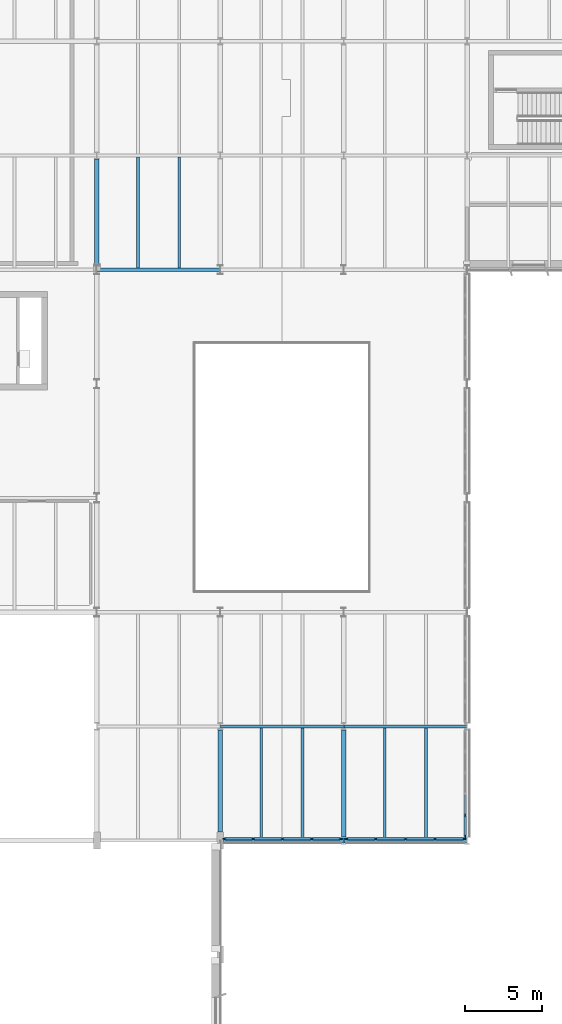
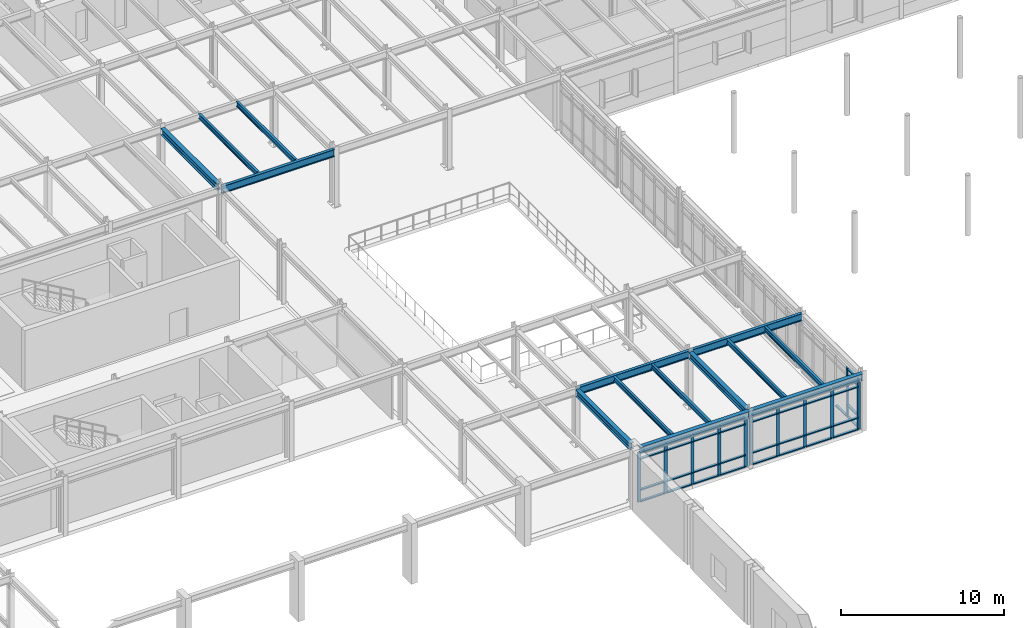
# One storey, part 20 of 75: 49 members, 14 beams, 3 elements without a shape of their own.
"""IFC4 building model written with IfcOpenShell, lengths in metres."""

from ifc_helpers import new_model, si_unit, direction, frame, origin, origin_2d, place, context, subcontext, project, spatial, rectangle, i_section, extrude, material, layer, layer_set, material_profile, profile_set, type_object, element, aggregate, save


model = new_model("IFC4")

# Units and contexts
model_context = context("Model", 3, precision=1e-05, world=origin(), true_north=direction((0.0, 1.0)))
body_context = subcontext(model_context, "Body", "Model", "MODEL_VIEW")
ifc_project = project(units=[si_unit("LENGTHUNIT", "METRE"), si_unit("AREAUNIT", "SQUARE_METRE"), si_unit("VOLUMEUNIT", "CUBIC_METRE"), si_unit("PLANEANGLEUNIT", "RADIAN"), si_unit("MASSUNIT", "GRAM", prefix="KILO")], contexts=[model_context])

# Site, building, storey
site_placement = place(None, origin())
site = spatial("IfcSite", under=ifc_project, at=site_placement, CompositionType="ELEMENT")
building_placement = place(site_placement, origin())
building = spatial("IfcBuilding", under=site, at=building_placement, Name="Valkorina Park Police Headquarters", CompositionType="ELEMENT")
storey_placement = place(building_placement, frame((0.0, 0.0, 5.39990234375)))
storey = spatial("IfcBuildingStorey", under=building, at=storey_placement, Name="L02", CompositionType="ELEMENT", Elevation=5.39990234375)

# Beams
ifc_material_1 = material(Name="Steel S355", Category="steel")
ifc_material_profile_1 = material_profile(ifc_material_1, i_section(OverallWidth=0.300048828125, OverallDepth=0.489990234375, WebThickness=0.011962890625, FlangeThickness=0.02294921875, FilletRadius=0.027099609375, at=origin_2d()), Name="HEA 500")
ifc_profile_set_1 = profile_set([ifc_material_profile_1], Name="Steel S355")
beam_type_1 = type_object("IfcBeamType", Name="BM-S355-HEA500-BM", PredefinedType="BEAM", material=ifc_profile_set_1)
beam_1_placement = place(storey_placement, frame((56.800048828125, 59.5, 3.925048828125), z_axis=(0.0, 1.0, 0.0), x_axis=(-1.0, 0.0, 0.0)))
element("IfcBeam", 1, at=beam_1_placement, inside=storey, type_object=beam_type_1, Name="L02 Framing Beam 1598", PredefinedType="BEAM", context=body_context, shape_type="SweptSolid", body=[
    extrude(i_section(OverallWidth=0.300048828125, OverallDepth=0.489990234375, WebThickness=0.011962890625, FlangeThickness=0.02294921875, FilletRadius=0.027099609375, at=origin_2d()), origin(), (0.0, 0.0, 1.0), 6.875),
])
beam_2_placement = place(storey_placement, frame((64.800048828125, 22.75, 3.9951171875), z_axis=(0.0, 1.0, 0.0), x_axis=(-1.0, 0.0, 0.0)))
element("IfcBeam", 2, at=beam_2_placement, inside=storey, type_object=beam_type_1, Name="L02 Framing Beam 1611", PredefinedType="BEAM", context=body_context, shape_type="SweptSolid", body=[
    extrude(i_section(OverallWidth=0.300048828125, OverallDepth=0.489990234375, WebThickness=0.011962890625, FlangeThickness=0.02294921875, FilletRadius=0.027099609375, at=origin_2d()), origin(), (0.0, 0.0, 1.0), 6.625),
])
beam_3_placement = place(storey_placement, frame((72.800048828125, 22.425048828125, 3.9951171875), z_axis=(0.0, 1.0, 0.0), x_axis=(-1.0, 0.0, 0.0)))
element("IfcBeam", 3, at=beam_3_placement, inside=storey, type_object=beam_type_1, Name="L02 Framing Beam 1626", PredefinedType="BEAM", context=body_context, shape_type="SweptSolid", body=[
    extrude(i_section(OverallWidth=0.300048828125, OverallDepth=0.489990234375, WebThickness=0.011962890625, FlangeThickness=0.02294921875, FilletRadius=0.027099609375, at=origin_2d()), origin(), (0.0, 0.0, 1.0), 6.949951171875),
])
ifc_material_profile_2 = material_profile(ifc_material_1, i_section(OverallWidth=0.300048828125, OverallDepth=0.489990234375, WebThickness=0.011962890625, FlangeThickness=0.02294921875, FilletRadius=0.027099609375, at=origin_2d()), Name="HEA 500")
ifc_profile_set_2 = profile_set([ifc_material_profile_2], Name="Steel S355")
beam_type_2 = type_object("IfcBeamType", Name="BM-S355-HEA500-SPN", PredefinedType="SPANDREL", material=ifc_profile_set_2)
beam_4_placement = place(storey_placement, frame((65.02490234375, 22.199951171875, 3.9951171875), z_axis=(1.0, 0.0, 0.0), x_axis=(0.0, 1.0, 0.0)))
element("IfcBeam", 4, at=beam_4_placement, inside=storey, type_object=beam_type_2, Name="L02 Framing Beam 1300", PredefinedType="SPANDREL", context=body_context, shape_type="SweptSolid", body=[
    extrude(i_section(OverallWidth=0.300048828125, OverallDepth=0.489990234375, WebThickness=0.011962890625, FlangeThickness=0.02294921875, FilletRadius=0.027099609375, at=origin_2d()), origin(), (0.0, 0.0, 1.0), 7.76806640625),
])
beam_5_placement = place(storey_placement, frame((72.806884765625, 22.199951171875, 3.9951171875), z_axis=(1.0, 0.0, 0.0), x_axis=(0.0, 1.0, 0.0)))
element("IfcBeam", 5, at=beam_5_placement, inside=storey, type_object=beam_type_2, Name="L02 Framing Beam 1301", PredefinedType="SPANDREL", context=body_context, shape_type="SweptSolid", body=[
    extrude(i_section(OverallWidth=0.300048828125, OverallDepth=0.489990234375, WebThickness=0.011962890625, FlangeThickness=0.02294921875, FilletRadius=0.027099609375, at=origin_2d()), origin(), (0.0, 0.0, 1.0), 7.986083984375),
])
ifc_material_profile_3 = material_profile(ifc_material_1, i_section(OverallWidth=0.169921875, OverallDepth=0.360107421875, WebThickness=0.008056640625, FlangeThickness=0.0126953125, FilletRadius=0.01806640625, at=origin_2d()), Name="IPE 360")
ifc_profile_set_3 = profile_set([ifc_material_profile_3], Name="Steel S355")
beam_type_3 = type_object("IfcBeamType", Name="BM-S355-IPE360-JST", PredefinedType="JOIST", material=ifc_profile_set_3)
for number, where, z_axis, x_axis, name in (
    (6, (59.466796875, 59.304931640625, 4.06005859375), (0.0, 1.0, 0.0), (-1.0, 0.0, 0.0), "L02 Framing Beam 1599"),
    (7, (62.13330078125, 59.304931640625, 4.06005859375), (0.0, 1.0, 0.0), (-1.0, 0.0, 0.0), "L02 Framing Beam 1600"),
):
    element("IfcBeam", number, at=place(storey_placement, frame(where, z_axis=z_axis, x_axis=x_axis)), inside=storey, type_object=beam_type_3, Name=name, PredefinedType="JOIST", context=body_context, shape_type="SweptSolid", body=[
        extrude(i_section(OverallWidth=0.169921875, OverallDepth=0.360107421875, WebThickness=0.008056640625, FlangeThickness=0.0126953125, FilletRadius=0.01806640625, at=origin_2d()), origin(), (0.0, 0.0, 1.0), 7.190185546875),
    ])
for number, where, z_axis, x_axis, name in (
    (8, (67.466796875, 22.35009765625, 4.06005859375), (0.0, 1.0, 0.0), (-1.0, 0.0, 0.0), "L02 Framing Beam 1612"),
    (9, (70.13330078125, 22.35009765625, 4.06005859375), (0.0, 1.0, 0.0), (-1.0, 0.0, 0.0), "L02 Framing Beam 1613"),
    (10, (75.466796875, 22.35009765625, 4.06005859375), (0.0, 1.0, 0.0), (-1.0, 0.0, 0.0), "L02 Framing Beam 1627"),
    (11, (78.13330078125, 22.35009765625, 4.06005859375), (0.0, 1.0, 0.0), (-1.0, 0.0, 0.0), "L02 Framing Beam 1628"),
):
    element("IfcBeam", number, at=place(storey_placement, frame(where, z_axis=z_axis, x_axis=x_axis)), inside=storey, type_object=beam_type_3, Name=name, PredefinedType="JOIST", context=body_context, shape_type="SweptSolid", body=[
        extrude(i_section(OverallWidth=0.169921875, OverallDepth=0.360107421875, WebThickness=0.008056640625, FlangeThickness=0.0126953125, FilletRadius=0.01806640625, at=origin_2d()), origin(), (0.0, 0.0, 1.0), 7.14501953125),
    ])
ifc_material_profile_4 = material_profile(ifc_material_1, i_section(OverallWidth=0.2099609375, OverallDepth=0.550048828125, WebThickness=0.010986328125, FlangeThickness=0.01708984375, FilletRadius=0.02392578125, at=origin_2d()), Name="IPE 550")
ifc_profile_set_4 = profile_set([ifc_material_profile_4], Name="Steel S355")
beam_type_4 = type_object("IfcBeamType", Name="BM-S355-IPE550-BM", PredefinedType="BEAM", material=ifc_profile_set_4)
for number, where, z_axis, x_axis, name in (
    (12, (64.806884765625, 29.60009765625, 3.965087890625), (1.0, 0.0, 0.0), (0.0, 1.0, 0.0), "L02 Framing Beam 1308"),
    (13, (72.806884765625, 29.60009765625, 3.965087890625), (1.0, 0.0, 0.0), (0.0, 1.0, 0.0), "L02 Framing Beam 1309"),
):
    element("IfcBeam", number, at=place(storey_placement, frame(where, z_axis=z_axis, x_axis=x_axis)), inside=storey, type_object=beam_type_4, Name=name, PredefinedType="BEAM", context=body_context, shape_type="SweptSolid", body=[
        extrude(i_section(OverallWidth=0.2099609375, OverallDepth=0.550048828125, WebThickness=0.010986328125, FlangeThickness=0.01708984375, FilletRadius=0.02392578125, at=origin_2d()), origin(), (0.0, 0.0, 1.0), 7.986083984375),
    ])
beam_6_placement = place(storey_placement, frame((56.8076171875, 59.199951171875, 3.89501953125), z_axis=(1.0, 0.0, 0.0), x_axis=(0.0, 1.0, 0.0)))
element("IfcBeam", 14, at=beam_6_placement, inside=storey, type_object=beam_type_4, Name="L02 Framing Beam 1346", PredefinedType="BEAM", context=body_context, shape_type="SweptSolid", body=[
    extrude(i_section(OverallWidth=0.2099609375, OverallDepth=0.550048828125, WebThickness=0.010986328125, FlangeThickness=0.01708984375, FilletRadius=0.02392578125, at=origin_2d()), origin(), (0.0, 0.0, 1.0), 7.984619140625),
])

# Curtain wall, members
ifc_material_2 = material(Name="Thermally broken aluminium AW-6060", Category="aluminium")
ifc_layer_1 = layer(ifc_material_2, 0.18994140625)
ifc_layer_set_1 = layer_set([ifc_layer_1], Name="Thermally broken aluminium AW-6060")
curtain_wall_type_1 = type_object("IfcCurtainWallType", Name="CW-V4-6930x3680", PredefinedType="NOTDEFINED", material=ifc_layer_set_1)
curtain_wall_1_placement = place(storey_placement, origin())
curtain_wall_1 = element("IfcCurtainWall", 15, at=curtain_wall_1_placement, inside=storey, type_object=curtain_wall_type_1, Name="L02 Unitised Curtain Wall 013", PredefinedType="NOTDEFINED")
ifc_material_profile_5 = material_profile(ifc_material_2, rectangle(XDim=0.080078125, YDim=0.219970703125, at=origin_2d()), Name="CWM-03 80x220")
ifc_profile_set_5 = profile_set([ifc_material_profile_5], Name="Thermally broken aluminium AW-6060")
member_type_1 = type_object("IfcMemberType", Name="CWM-80x220", PredefinedType="MULLION", material=ifc_profile_set_5)
member_1_placement = place(storey_placement, frame((80.679931640625, 23.821044921875, 0.0), z_axis=(0.0, 0.0, 1.0), x_axis=(1.0, 0.0, 0.0)))
member_1 = element("IfcMember", 16, at=member_1_placement, type_object=member_type_1, Name="CW-V4-693-368 mullion 5", PredefinedType="MULLION", context=body_context, shape_type="SweptSolid", body=[
    extrude(rectangle(XDim=0.080078125, YDim=0.219970703125, at=origin_2d()), origin(), (0.0, 0.0, 1.0), 3.68017578125),
])
member_2_placement = place(storey_placement, frame((80.679931640625, 22.47509765625, 0.0), z_axis=(0.0, 0.0, 1.0), x_axis=(1.0, 0.0, 0.0)))
member_2 = element("IfcMember", 17, at=member_2_placement, type_object=member_type_1, Name="CW-V4-693-368 mullion 6", PredefinedType="MULLION", context=body_context, shape_type="SweptSolid", body=[
    extrude(rectangle(XDim=0.080078125, YDim=0.219970703125, at=origin_2d()), origin(), (0.0, 0.0, 1.0), 3.68017578125),
])

ifc_layer_2 = layer(ifc_material_2, 0.18994140625)
ifc_layer_set_2 = layer_set([ifc_layer_2], Name="Thermally broken aluminium AW-6060")
curtain_wall_type_2 = type_object("IfcCurtainWallType", Name="CW-V4-7680x3740", PredefinedType="NOTDEFINED", material=ifc_layer_set_2)
curtain_wall_2_placement = place(storey_placement, origin())
curtain_wall_2 = element("IfcCurtainWall", 18, at=curtain_wall_2_placement, inside=storey, type_object=curtain_wall_type_2, Name="L02 Unitised Curtain Wall 014", PredefinedType="NOTDEFINED")
member_3_placement = place(storey_placement, frame((80.60009765625, 22.320068359375, 0.0), z_axis=(0.0, 0.0, 1.0), x_axis=(0.0, -1.0, 0.0)))
member_3 = element("IfcMember", 19, at=member_3_placement, type_object=member_type_1, Name="CW-V4-768-374 mullion 1", PredefinedType="MULLION", context=body_context, shape_type="SweptSolid", body=[
    extrude(rectangle(XDim=0.080078125, YDim=0.219970703125, at=origin_2d()), origin(), (0.0, 0.0, 1.0), 3.739990234375),
])
member_4_placement = place(storey_placement, frame((78.719970703125, 22.320068359375, 0.0), z_axis=(0.0, 0.0, 1.0), x_axis=(0.0, -1.0, 0.0)))
member_4 = element("IfcMember", 20, at=member_4_placement, type_object=member_type_1, Name="CW-V4-768-374 mullion 2", PredefinedType="MULLION", context=body_context, shape_type="SweptSolid", body=[
    extrude(rectangle(XDim=0.080078125, YDim=0.219970703125, at=origin_2d()), origin(), (0.0, 0.0, 1.0), 3.739990234375),
])
member_5_placement = place(storey_placement, frame((76.800048828125, 22.320068359375, 0.0), z_axis=(0.0, 0.0, 1.0), x_axis=(0.0, -1.0, 0.0)))
member_5 = element("IfcMember", 21, at=member_5_placement, type_object=member_type_1, Name="CW-V4-768-374 mullion 3", PredefinedType="MULLION", context=body_context, shape_type="SweptSolid", body=[
    extrude(rectangle(XDim=0.080078125, YDim=0.219970703125, at=origin_2d()), origin(), (0.0, 0.0, 1.0), 3.739990234375),
])
member_6_placement = place(storey_placement, frame((74.8798828125, 22.320068359375, 0.0), z_axis=(0.0, 0.0, 1.0), x_axis=(0.0, -1.0, 0.0)))
member_6 = element("IfcMember", 22, at=member_6_placement, type_object=member_type_1, Name="CW-V4-768-374 mullion 4", PredefinedType="MULLION", context=body_context, shape_type="SweptSolid", body=[
    extrude(rectangle(XDim=0.080078125, YDim=0.219970703125, at=origin_2d()), origin(), (0.0, 0.0, 1.0), 3.739990234375),
])
member_7_placement = place(storey_placement, frame((73.0, 22.320068359375, 0.0), z_axis=(0.0, 0.0, 1.0), x_axis=(0.0, -1.0, 0.0)))
member_7 = element("IfcMember", 23, at=member_7_placement, type_object=member_type_1, Name="CW-V4-768-374 mullion 5", PredefinedType="MULLION", context=body_context, shape_type="SweptSolid", body=[
    extrude(rectangle(XDim=0.080078125, YDim=0.219970703125, at=origin_2d()), origin(), (0.0, 0.0, 1.0), 3.739990234375),
])

ifc_layer_3 = layer(ifc_material_2, 0.18994140625)
ifc_layer_set_3 = layer_set([ifc_layer_3], Name="Thermally broken aluminium AW-6060")
curtain_wall_type_3 = type_object("IfcCurtainWallType", Name="CW-V4-7600x3740", PredefinedType="NOTDEFINED", material=ifc_layer_set_3)
curtain_wall_3_placement = place(storey_placement, origin())
curtain_wall_3 = element("IfcCurtainWall", 24, at=curtain_wall_3_placement, inside=storey, type_object=curtain_wall_type_3, Name="L02 Unitised Curtain Wall 015", PredefinedType="NOTDEFINED")
member_8_placement = place(storey_placement, frame((72.60009765625, 22.320068359375, 0.0), z_axis=(0.0, 0.0, 1.0), x_axis=(0.0, -1.0, 0.0)))
member_8 = element("IfcMember", 25, at=member_8_placement, type_object=member_type_1, Name="CW-V4-760-374 mullion 1", PredefinedType="MULLION", context=body_context, shape_type="SweptSolid", body=[
    extrude(rectangle(XDim=0.080078125, YDim=0.219970703125, at=origin_2d()), origin(), (0.0, 0.0, 1.0), 3.739990234375),
])
member_9_placement = place(storey_placement, frame((70.73876953125, 22.320068359375, 0.0), z_axis=(0.0, 0.0, 1.0), x_axis=(0.0, -1.0, 0.0)))
member_9 = element("IfcMember", 26, at=member_9_placement, type_object=member_type_1, Name="CW-V4-760-374 mullion 2", PredefinedType="MULLION", context=body_context, shape_type="SweptSolid", body=[
    extrude(rectangle(XDim=0.080078125, YDim=0.219970703125, at=origin_2d()), origin(), (0.0, 0.0, 1.0), 3.739990234375),
])
member_10_placement = place(storey_placement, frame((68.83740234375, 22.320068359375, 0.0), z_axis=(0.0, 0.0, 1.0), x_axis=(0.0, -1.0, 0.0)))
member_10 = element("IfcMember", 27, at=member_10_placement, type_object=member_type_1, Name="CW-V4-760-374 mullion 3", PredefinedType="MULLION", context=body_context, shape_type="SweptSolid", body=[
    extrude(rectangle(XDim=0.080078125, YDim=0.219970703125, at=origin_2d()), origin(), (0.0, 0.0, 1.0), 3.739990234375),
])
member_11_placement = place(storey_placement, frame((66.936279296875, 22.320068359375, 0.0), z_axis=(0.0, 0.0, 1.0), x_axis=(0.0, -1.0, 0.0)))
member_11 = element("IfcMember", 28, at=member_11_placement, type_object=member_type_1, Name="CW-V4-760-374 mullion 4", PredefinedType="MULLION", context=body_context, shape_type="SweptSolid", body=[
    extrude(rectangle(XDim=0.080078125, YDim=0.219970703125, at=origin_2d()), origin(), (0.0, 0.0, 1.0), 3.739990234375),
])
member_12_placement = place(storey_placement, frame((65.074951171875, 22.320068359375, 0.0), z_axis=(0.0, 0.0, 1.0), x_axis=(0.0, -1.0, 0.0)))
member_12 = element("IfcMember", 29, at=member_12_placement, type_object=member_type_1, Name="CW-V4-760-374 mullion 5", PredefinedType="MULLION", context=body_context, shape_type="SweptSolid", body=[
    extrude(rectangle(XDim=0.080078125, YDim=0.219970703125, at=origin_2d()), origin(), (0.0, 0.0, 1.0), 3.739990234375),
])

# Member
ifc_material_profile_6 = material_profile(ifc_material_2, rectangle(XDim=0.179931640625, YDim=0.080078125, at=origin_2d()), Name="CWT-03 180x80")
ifc_profile_set_6 = profile_set([ifc_material_profile_6], Name="Thermally broken aluminium AW-6060")
member_type_2 = type_object("IfcMemberType", Name="CWT-180x80", PredefinedType="USERDEFINED", material=ifc_profile_set_6)
member_13_placement = place(storey_placement, frame((80.679931640625, 25.1669921875, 0.0400390625), z_axis=(0.0, -1.0, 0.0), x_axis=(1.0, 0.0, 0.0)))
member_13 = element("IfcMember", 30, at=member_13_placement, type_object=member_type_2, Name="CW-V4-693-368 transom 4.1", ObjectType="TRANSOM", PredefinedType="USERDEFINED", context=body_context, shape_type="SweptSolid", body=[
    extrude(rectangle(XDim=0.179931640625, YDim=0.080078125, at=origin_2d()), origin(), (0.0, 0.0, 1.0), 1.305908203125),
])

member_14_placement = place(storey_placement, frame((80.679931640625, 23.781005859375, 0.0400390625), z_axis=(0.0, -1.0, 0.0), x_axis=(1.0, 0.0, 0.0)))
member_14 = element("IfcMember", 31, at=member_14_placement, type_object=member_type_2, Name="CW-V4-693-368 transom 5.1", ObjectType="TRANSOM", PredefinedType="USERDEFINED", context=body_context, shape_type="SweptSolid", body=[
    extrude(rectangle(XDim=0.179931640625, YDim=0.080078125, at=origin_2d()), origin(), (0.0, 0.0, 1.0), 1.26611328125),
])

member_15_placement = place(storey_placement, frame((80.679931640625, 23.781005859375, 0.900146484375), z_axis=(0.0, -1.0, 0.0), x_axis=(1.0, 0.0, 0.0)))
member_15 = element("IfcMember", 32, at=member_15_placement, type_object=member_type_2, Name="CW-V4-693-368 transom 5.2", ObjectType="TRANSOM", PredefinedType="USERDEFINED", context=body_context, shape_type="SweptSolid", body=[
    extrude(rectangle(XDim=0.179931640625, YDim=0.080078125, at=origin_2d()), origin(), (0.0, 0.0, 1.0), 1.26611328125),
])

member_16_placement = place(storey_placement, frame((80.679931640625, 23.781005859375, 3.16015625), z_axis=(0.0, -1.0, 0.0), x_axis=(1.0, 0.0, 0.0)))
member_16 = element("IfcMember", 33, at=member_16_placement, type_object=member_type_2, Name="CW-V4-693-368 transom 5.3", ObjectType="TRANSOM", PredefinedType="USERDEFINED", context=body_context, shape_type="SweptSolid", body=[
    extrude(rectangle(XDim=0.179931640625, YDim=0.080078125, at=origin_2d()), origin(), (0.0, 0.0, 1.0), 1.26611328125),
])

member_17_placement = place(storey_placement, frame((80.679931640625, 23.781005859375, 3.64013671875), z_axis=(0.0, -1.0, 0.0), x_axis=(1.0, 0.0, 0.0)))
member_17 = element("IfcMember", 34, at=member_17_placement, type_object=member_type_2, Name="CW-V4-693-368 transom 5.4", ObjectType="TRANSOM", PredefinedType="USERDEFINED", context=body_context, shape_type="SweptSolid", body=[
    extrude(rectangle(XDim=0.179931640625, YDim=0.080078125, at=origin_2d()), origin(), (0.0, 0.0, 1.0), 1.26611328125),
])

aggregate(curtain_wall_1, [member_1, member_2, member_13, member_14, member_15, member_16, member_17])

member_18_placement = place(storey_placement, frame((80.56005859375, 22.320068359375, 0.0400390625), z_axis=(-1.0, 0.0, 0.0), x_axis=(0.0, -1.0, 0.0)))
member_18 = element("IfcMember", 35, at=member_18_placement, type_object=member_type_2, Name="CW-V4-768-374 transom 1.1", ObjectType="TRANSOM", PredefinedType="USERDEFINED", context=body_context, shape_type="SweptSolid", body=[
    extrude(rectangle(XDim=0.179931640625, YDim=0.080078125, at=origin_2d()), origin(), (0.0, 0.0, 1.0), 1.800048828125),
])

member_19_placement = place(storey_placement, frame((80.56005859375, 22.320068359375, 0.900146484375), z_axis=(-1.0, 0.0, 0.0), x_axis=(0.0, -1.0, 0.0)))
member_19 = element("IfcMember", 36, at=member_19_placement, type_object=member_type_2, Name="CW-V4-768-374 transom 1.2", ObjectType="TRANSOM", PredefinedType="USERDEFINED", context=body_context, shape_type="SweptSolid", body=[
    extrude(rectangle(XDim=0.179931640625, YDim=0.080078125, at=origin_2d()), origin(), (0.0, 0.0, 1.0), 1.800048828125),
])

member_20_placement = place(storey_placement, frame((80.56005859375, 22.320068359375, 3.22021484375), z_axis=(-1.0, 0.0, 0.0), x_axis=(0.0, -1.0, 0.0)))
member_20 = element("IfcMember", 37, at=member_20_placement, type_object=member_type_2, Name="CW-V4-768-374 transom 1.3", ObjectType="TRANSOM", PredefinedType="USERDEFINED", context=body_context, shape_type="SweptSolid", body=[
    extrude(rectangle(XDim=0.179931640625, YDim=0.080078125, at=origin_2d()), origin(), (0.0, 0.0, 1.0), 1.800048828125),
])

member_21_placement = place(storey_placement, frame((80.56005859375, 22.320068359375, 3.7001953125), z_axis=(-1.0, 0.0, 0.0), x_axis=(0.0, -1.0, 0.0)))
member_21 = element("IfcMember", 38, at=member_21_placement, type_object=member_type_2, Name="CW-V4-768-374 transom 1.4", ObjectType="TRANSOM", PredefinedType="USERDEFINED", context=body_context, shape_type="SweptSolid", body=[
    extrude(rectangle(XDim=0.179931640625, YDim=0.080078125, at=origin_2d()), origin(), (0.0, 0.0, 1.0), 1.800048828125),
])

member_22_placement = place(storey_placement, frame((78.679931640625, 22.320068359375, 0.0400390625), z_axis=(-1.0, 0.0, 0.0), x_axis=(0.0, -1.0, 0.0)))
member_22 = element("IfcMember", 39, at=member_22_placement, type_object=member_type_2, Name="CW-V4-768-374 transom 2.1", ObjectType="TRANSOM", PredefinedType="USERDEFINED", context=body_context, shape_type="SweptSolid", body=[
    extrude(rectangle(XDim=0.179931640625, YDim=0.080078125, at=origin_2d()), origin(), (0.0, 0.0, 1.0), 1.83984375),
])

member_23_placement = place(storey_placement, frame((78.679931640625, 22.320068359375, 0.900146484375), z_axis=(-1.0, 0.0, 0.0), x_axis=(0.0, -1.0, 0.0)))
member_23 = element("IfcMember", 40, at=member_23_placement, type_object=member_type_2, Name="CW-V4-768-374 transom 2.2", ObjectType="TRANSOM", PredefinedType="USERDEFINED", context=body_context, shape_type="SweptSolid", body=[
    extrude(rectangle(XDim=0.179931640625, YDim=0.080078125, at=origin_2d()), origin(), (0.0, 0.0, 1.0), 1.83984375),
])

member_24_placement = place(storey_placement, frame((78.679931640625, 22.320068359375, 3.22021484375), z_axis=(-1.0, 0.0, 0.0), x_axis=(0.0, -1.0, 0.0)))
member_24 = element("IfcMember", 41, at=member_24_placement, type_object=member_type_2, Name="CW-V4-768-374 transom 2.3", ObjectType="TRANSOM", PredefinedType="USERDEFINED", context=body_context, shape_type="SweptSolid", body=[
    extrude(rectangle(XDim=0.179931640625, YDim=0.080078125, at=origin_2d()), origin(), (0.0, 0.0, 1.0), 1.83984375),
])

member_25_placement = place(storey_placement, frame((78.679931640625, 22.320068359375, 3.7001953125), z_axis=(-1.0, 0.0, 0.0), x_axis=(0.0, -1.0, 0.0)))
member_25 = element("IfcMember", 42, at=member_25_placement, type_object=member_type_2, Name="CW-V4-768-374 transom 2.4", ObjectType="TRANSOM", PredefinedType="USERDEFINED", context=body_context, shape_type="SweptSolid", body=[
    extrude(rectangle(XDim=0.179931640625, YDim=0.080078125, at=origin_2d()), origin(), (0.0, 0.0, 1.0), 1.83984375),
])

member_26_placement = place(storey_placement, frame((76.760009765625, 22.320068359375, 0.0400390625), z_axis=(-1.0, 0.0, 0.0), x_axis=(0.0, -1.0, 0.0)))
member_26 = element("IfcMember", 43, at=member_26_placement, type_object=member_type_2, Name="CW-V4-768-374 transom 3.1", ObjectType="TRANSOM", PredefinedType="USERDEFINED", context=body_context, shape_type="SweptSolid", body=[
    extrude(rectangle(XDim=0.179931640625, YDim=0.080078125, at=origin_2d()), origin(), (0.0, 0.0, 1.0), 1.840087890625),
])

member_27_placement = place(storey_placement, frame((76.760009765625, 22.320068359375, 0.900146484375), z_axis=(-1.0, 0.0, 0.0), x_axis=(0.0, -1.0, 0.0)))
member_27 = element("IfcMember", 44, at=member_27_placement, type_object=member_type_2, Name="CW-V4-768-374 transom 3.2", ObjectType="TRANSOM", PredefinedType="USERDEFINED", context=body_context, shape_type="SweptSolid", body=[
    extrude(rectangle(XDim=0.179931640625, YDim=0.080078125, at=origin_2d()), origin(), (0.0, 0.0, 1.0), 1.840087890625),
])

member_28_placement = place(storey_placement, frame((76.760009765625, 22.320068359375, 3.22021484375), z_axis=(-1.0, 0.0, 0.0), x_axis=(0.0, -1.0, 0.0)))
member_28 = element("IfcMember", 45, at=member_28_placement, type_object=member_type_2, Name="CW-V4-768-374 transom 3.3", ObjectType="TRANSOM", PredefinedType="USERDEFINED", context=body_context, shape_type="SweptSolid", body=[
    extrude(rectangle(XDim=0.179931640625, YDim=0.080078125, at=origin_2d()), origin(), (0.0, 0.0, 1.0), 1.840087890625),
])

member_29_placement = place(storey_placement, frame((76.760009765625, 22.320068359375, 3.7001953125), z_axis=(-1.0, 0.0, 0.0), x_axis=(0.0, -1.0, 0.0)))
member_29 = element("IfcMember", 46, at=member_29_placement, type_object=member_type_2, Name="CW-V4-768-374 transom 3.4", ObjectType="TRANSOM", PredefinedType="USERDEFINED", context=body_context, shape_type="SweptSolid", body=[
    extrude(rectangle(XDim=0.179931640625, YDim=0.080078125, at=origin_2d()), origin(), (0.0, 0.0, 1.0), 1.840087890625),
])

member_30_placement = place(storey_placement, frame((74.840087890625, 22.320068359375, 0.0400390625), z_axis=(-1.0, 0.0, 0.0), x_axis=(0.0, -1.0, 0.0)))
member_30 = element("IfcMember", 47, at=member_30_placement, type_object=member_type_2, Name="CW-V4-768-374 transom 4.1", ObjectType="TRANSOM", PredefinedType="USERDEFINED", context=body_context, shape_type="SweptSolid", body=[
    extrude(rectangle(XDim=0.179931640625, YDim=0.080078125, at=origin_2d()), origin(), (0.0, 0.0, 1.0), 1.800048828125),
])

member_31_placement = place(storey_placement, frame((74.840087890625, 22.320068359375, 0.900146484375), z_axis=(-1.0, 0.0, 0.0), x_axis=(0.0, -1.0, 0.0)))
member_31 = element("IfcMember", 48, at=member_31_placement, type_object=member_type_2, Name="CW-V4-768-374 transom 4.2", ObjectType="TRANSOM", PredefinedType="USERDEFINED", context=body_context, shape_type="SweptSolid", body=[
    extrude(rectangle(XDim=0.179931640625, YDim=0.080078125, at=origin_2d()), origin(), (0.0, 0.0, 1.0), 1.800048828125),
])

member_32_placement = place(storey_placement, frame((74.840087890625, 22.320068359375, 3.22021484375), z_axis=(-1.0, 0.0, 0.0), x_axis=(0.0, -1.0, 0.0)))
member_32 = element("IfcMember", 49, at=member_32_placement, type_object=member_type_2, Name="CW-V4-768-374 transom 4.3", ObjectType="TRANSOM", PredefinedType="USERDEFINED", context=body_context, shape_type="SweptSolid", body=[
    extrude(rectangle(XDim=0.179931640625, YDim=0.080078125, at=origin_2d()), origin(), (0.0, 0.0, 1.0), 1.800048828125),
])

member_33_placement = place(storey_placement, frame((74.840087890625, 22.320068359375, 3.7001953125), z_axis=(-1.0, 0.0, 0.0), x_axis=(0.0, -1.0, 0.0)))
member_33 = element("IfcMember", 50, at=member_33_placement, type_object=member_type_2, Name="CW-V4-768-374 transom 4.4", ObjectType="TRANSOM", PredefinedType="USERDEFINED", context=body_context, shape_type="SweptSolid", body=[
    extrude(rectangle(XDim=0.179931640625, YDim=0.080078125, at=origin_2d()), origin(), (0.0, 0.0, 1.0), 1.800048828125),
])

aggregate(curtain_wall_2, [member_3, member_4, member_5, member_6, member_7, member_18, member_19, member_20, member_21, member_22, member_23, member_24, member_25, member_26, member_27, member_28, member_29, member_30, member_31, member_32, member_33])

member_34_placement = place(storey_placement, frame((72.56005859375, 22.320068359375, 0.0400390625), z_axis=(-1.0, 0.0, 0.0), x_axis=(0.0, -1.0, 0.0)))
member_34 = element("IfcMember", 51, at=member_34_placement, type_object=member_type_2, Name="CW-V4-760-374 transom 1.1", ObjectType="TRANSOM", PredefinedType="USERDEFINED", context=body_context, shape_type="SweptSolid", body=[
    extrude(rectangle(XDim=0.179931640625, YDim=0.080078125, at=origin_2d()), origin(), (0.0, 0.0, 1.0), 1.78125),
])

member_35_placement = place(storey_placement, frame((72.56005859375, 22.320068359375, 0.900146484375), z_axis=(-1.0, 0.0, 0.0), x_axis=(0.0, -1.0, 0.0)))
member_35 = element("IfcMember", 52, at=member_35_placement, type_object=member_type_2, Name="CW-V4-760-374 transom 1.2", ObjectType="TRANSOM", PredefinedType="USERDEFINED", context=body_context, shape_type="SweptSolid", body=[
    extrude(rectangle(XDim=0.179931640625, YDim=0.080078125, at=origin_2d()), origin(), (0.0, 0.0, 1.0), 1.78125),
])

member_36_placement = place(storey_placement, frame((72.56005859375, 22.320068359375, 3.22021484375), z_axis=(-1.0, 0.0, 0.0), x_axis=(0.0, -1.0, 0.0)))
member_36 = element("IfcMember", 53, at=member_36_placement, type_object=member_type_2, Name="CW-V4-760-374 transom 1.3", ObjectType="TRANSOM", PredefinedType="USERDEFINED", context=body_context, shape_type="SweptSolid", body=[
    extrude(rectangle(XDim=0.179931640625, YDim=0.080078125, at=origin_2d()), origin(), (0.0, 0.0, 1.0), 1.78125),
])

member_37_placement = place(storey_placement, frame((72.56005859375, 22.320068359375, 3.7001953125), z_axis=(-1.0, 0.0, 0.0), x_axis=(0.0, -1.0, 0.0)))
member_37 = element("IfcMember", 54, at=member_37_placement, type_object=member_type_2, Name="CW-V4-760-374 transom 1.4", ObjectType="TRANSOM", PredefinedType="USERDEFINED", context=body_context, shape_type="SweptSolid", body=[
    extrude(rectangle(XDim=0.179931640625, YDim=0.080078125, at=origin_2d()), origin(), (0.0, 0.0, 1.0), 1.78125),
])

member_38_placement = place(storey_placement, frame((70.69873046875, 22.320068359375, 0.0400390625), z_axis=(-1.0, 0.0, 0.0), x_axis=(0.0, -1.0, 0.0)))
member_38 = element("IfcMember", 55, at=member_38_placement, type_object=member_type_2, Name="CW-V4-760-374 transom 2.1", ObjectType="TRANSOM", PredefinedType="USERDEFINED", context=body_context, shape_type="SweptSolid", body=[
    extrude(rectangle(XDim=0.179931640625, YDim=0.080078125, at=origin_2d()), origin(), (0.0, 0.0, 1.0), 1.8212890625),
])

member_39_placement = place(storey_placement, frame((70.69873046875, 22.320068359375, 0.900146484375), z_axis=(-1.0, 0.0, 0.0), x_axis=(0.0, -1.0, 0.0)))
member_39 = element("IfcMember", 56, at=member_39_placement, type_object=member_type_2, Name="CW-V4-760-374 transom 2.2", ObjectType="TRANSOM", PredefinedType="USERDEFINED", context=body_context, shape_type="SweptSolid", body=[
    extrude(rectangle(XDim=0.179931640625, YDim=0.080078125, at=origin_2d()), origin(), (0.0, 0.0, 1.0), 1.8212890625),
])

member_40_placement = place(storey_placement, frame((70.69873046875, 22.320068359375, 3.22021484375), z_axis=(-1.0, 0.0, 0.0), x_axis=(0.0, -1.0, 0.0)))
member_40 = element("IfcMember", 57, at=member_40_placement, type_object=member_type_2, Name="CW-V4-760-374 transom 2.3", ObjectType="TRANSOM", PredefinedType="USERDEFINED", context=body_context, shape_type="SweptSolid", body=[
    extrude(rectangle(XDim=0.179931640625, YDim=0.080078125, at=origin_2d()), origin(), (0.0, 0.0, 1.0), 1.8212890625),
])

member_41_placement = place(storey_placement, frame((70.69873046875, 22.320068359375, 3.7001953125), z_axis=(-1.0, 0.0, 0.0), x_axis=(0.0, -1.0, 0.0)))
member_41 = element("IfcMember", 58, at=member_41_placement, type_object=member_type_2, Name="CW-V4-760-374 transom 2.4", ObjectType="TRANSOM", PredefinedType="USERDEFINED", context=body_context, shape_type="SweptSolid", body=[
    extrude(rectangle(XDim=0.179931640625, YDim=0.080078125, at=origin_2d()), origin(), (0.0, 0.0, 1.0), 1.8212890625),
])

member_42_placement = place(storey_placement, frame((68.797607421875, 22.320068359375, 0.0400390625), z_axis=(-1.0, 0.0, 0.0), x_axis=(0.0, -1.0, 0.0)))
member_42 = element("IfcMember", 59, at=member_42_placement, type_object=member_type_2, Name="CW-V4-760-374 transom 3.1", ObjectType="TRANSOM", PredefinedType="USERDEFINED", context=body_context, shape_type="SweptSolid", body=[
    extrude(rectangle(XDim=0.179931640625, YDim=0.080078125, at=origin_2d()), origin(), (0.0, 0.0, 1.0), 1.8212890625),
])

member_43_placement = place(storey_placement, frame((68.797607421875, 22.320068359375, 0.900146484375), z_axis=(-1.0, 0.0, 0.0), x_axis=(0.0, -1.0, 0.0)))
member_43 = element("IfcMember", 60, at=member_43_placement, type_object=member_type_2, Name="CW-V4-760-374 transom 3.2", ObjectType="TRANSOM", PredefinedType="USERDEFINED", context=body_context, shape_type="SweptSolid", body=[
    extrude(rectangle(XDim=0.179931640625, YDim=0.080078125, at=origin_2d()), origin(), (0.0, 0.0, 1.0), 1.8212890625),
])

member_44_placement = place(storey_placement, frame((68.797607421875, 22.320068359375, 3.22021484375), z_axis=(-1.0, 0.0, 0.0), x_axis=(0.0, -1.0, 0.0)))
member_44 = element("IfcMember", 61, at=member_44_placement, type_object=member_type_2, Name="CW-V4-760-374 transom 3.3", ObjectType="TRANSOM", PredefinedType="USERDEFINED", context=body_context, shape_type="SweptSolid", body=[
    extrude(rectangle(XDim=0.179931640625, YDim=0.080078125, at=origin_2d()), origin(), (0.0, 0.0, 1.0), 1.8212890625),
])

member_45_placement = place(storey_placement, frame((68.797607421875, 22.320068359375, 3.7001953125), z_axis=(-1.0, 0.0, 0.0), x_axis=(0.0, -1.0, 0.0)))
member_45 = element("IfcMember", 62, at=member_45_placement, type_object=member_type_2, Name="CW-V4-760-374 transom 3.4", ObjectType="TRANSOM", PredefinedType="USERDEFINED", context=body_context, shape_type="SweptSolid", body=[
    extrude(rectangle(XDim=0.179931640625, YDim=0.080078125, at=origin_2d()), origin(), (0.0, 0.0, 1.0), 1.8212890625),
])

member_46_placement = place(storey_placement, frame((66.896240234375, 22.320068359375, 0.0400390625), z_axis=(-1.0, 0.0, 0.0), x_axis=(0.0, -1.0, 0.0)))
member_46 = element("IfcMember", 63, at=member_46_placement, type_object=member_type_2, Name="CW-V4-760-374 transom 4.1", ObjectType="TRANSOM", PredefinedType="USERDEFINED", context=body_context, shape_type="SweptSolid", body=[
    extrude(rectangle(XDim=0.179931640625, YDim=0.080078125, at=origin_2d()), origin(), (0.0, 0.0, 1.0), 1.78125),
])

member_47_placement = place(storey_placement, frame((66.896240234375, 22.320068359375, 0.900146484375), z_axis=(-1.0, 0.0, 0.0), x_axis=(0.0, -1.0, 0.0)))
member_47 = element("IfcMember", 64, at=member_47_placement, type_object=member_type_2, Name="CW-V4-760-374 transom 4.2", ObjectType="TRANSOM", PredefinedType="USERDEFINED", context=body_context, shape_type="SweptSolid", body=[
    extrude(rectangle(XDim=0.179931640625, YDim=0.080078125, at=origin_2d()), origin(), (0.0, 0.0, 1.0), 1.78125),
])

member_48_placement = place(storey_placement, frame((66.896240234375, 22.320068359375, 3.22021484375), z_axis=(-1.0, 0.0, 0.0), x_axis=(0.0, -1.0, 0.0)))
member_48 = element("IfcMember", 65, at=member_48_placement, type_object=member_type_2, Name="CW-V4-760-374 transom 4.3", ObjectType="TRANSOM", PredefinedType="USERDEFINED", context=body_context, shape_type="SweptSolid", body=[
    extrude(rectangle(XDim=0.179931640625, YDim=0.080078125, at=origin_2d()), origin(), (0.0, 0.0, 1.0), 1.78125),
])

member_49_placement = place(storey_placement, frame((66.896240234375, 22.320068359375, 3.7001953125), z_axis=(-1.0, 0.0, 0.0), x_axis=(0.0, -1.0, 0.0)))
member_49 = element("IfcMember", 66, at=member_49_placement, type_object=member_type_2, Name="CW-V4-760-374 transom 4.4", ObjectType="TRANSOM", PredefinedType="USERDEFINED", context=body_context, shape_type="SweptSolid", body=[
    extrude(rectangle(XDim=0.179931640625, YDim=0.080078125, at=origin_2d()), origin(), (0.0, 0.0, 1.0), 1.78125),
])

aggregate(curtain_wall_3, [member_8, member_9, member_10, member_11, member_12, member_34, member_35, member_36, member_37, member_38, member_39, member_40, member_41, member_42, member_43, member_44, member_45, member_46, member_47, member_48, member_49])

save(model, "model.ifc")
